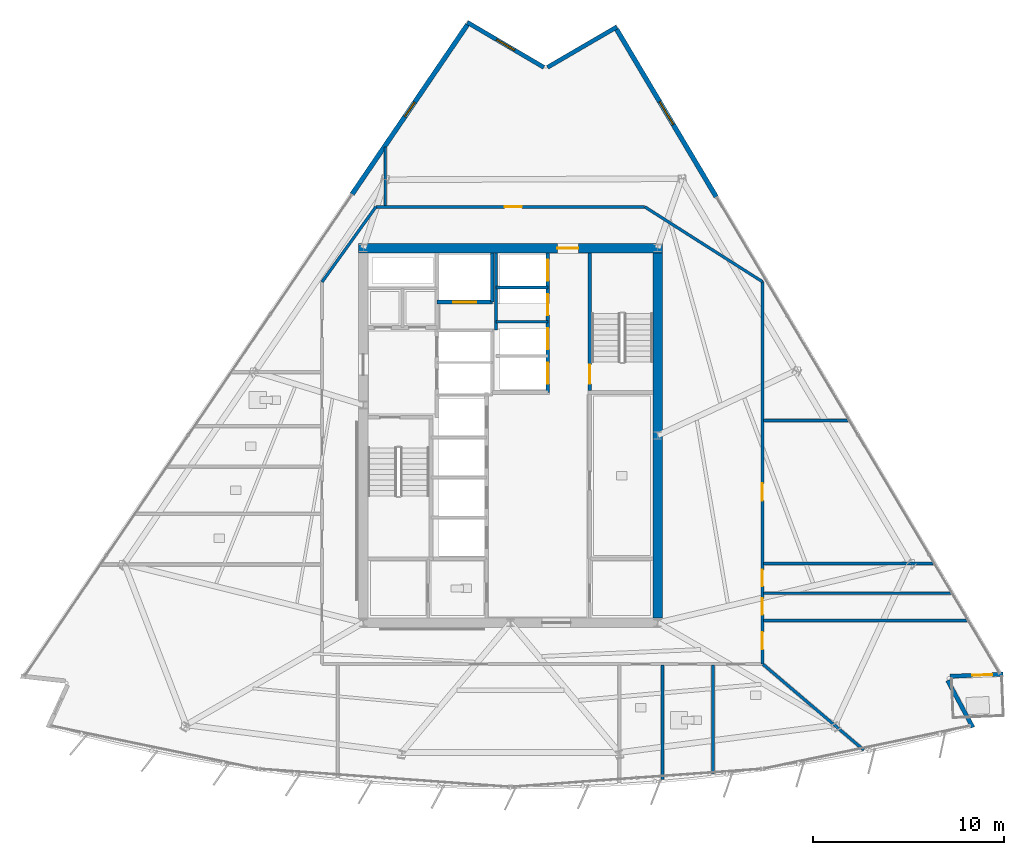
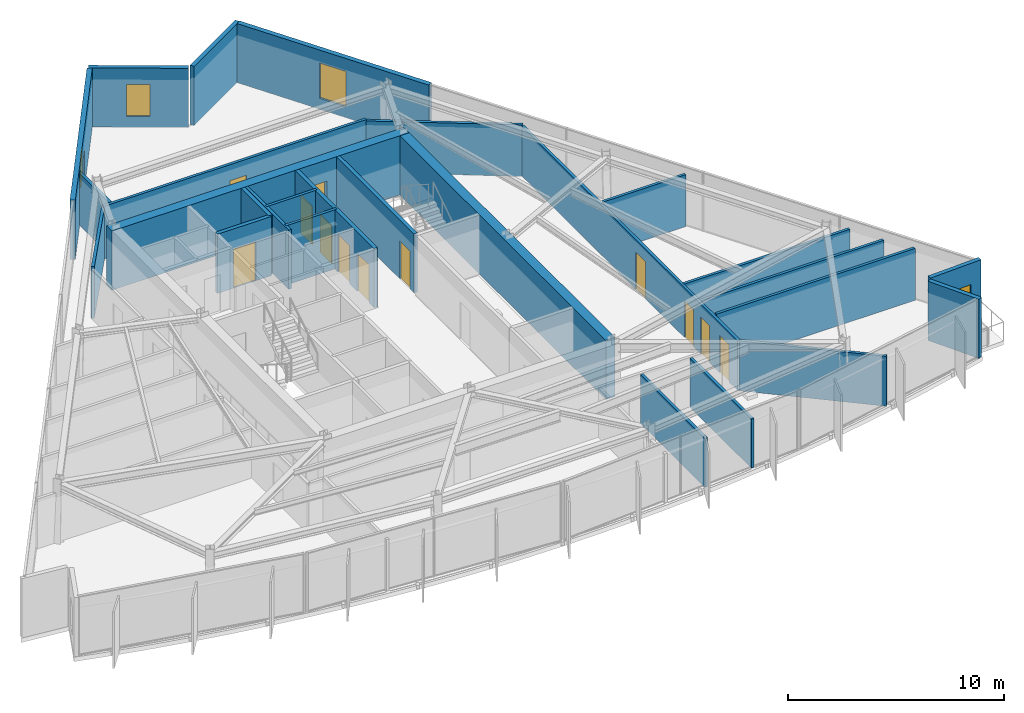
# One storey, part 9 of 15: 27 walls, 13 doors, 3 windows, 16 openings.
"""IFC4 building model written with IfcOpenShell, lengths in metres."""

from ifc_helpers import new_model, si_unit, direction, frame, frame_2d, origin, place, context, subcontext, project, spatial, rectangle, extrude, material, layer, layer_set, type_object, element, fill, save


model = new_model("IFC4")

# Units and contexts
model_context = context("Model", 3, precision=1e-05, world=origin(), true_north=direction((0.0, 1.0)))
body_context = subcontext(model_context, "Body", "Model", "MODEL_VIEW")
ifc_project = project(units=[si_unit("LENGTHUNIT", "METRE"), si_unit("AREAUNIT", "SQUARE_METRE"), si_unit("VOLUMEUNIT", "CUBIC_METRE"), si_unit("PLANEANGLEUNIT", "RADIAN"), si_unit("MASSUNIT", "GRAM", prefix="KILO")], contexts=[model_context])

# Site, building, storey
site_placement = place(None, origin())
site = spatial("IfcSite", under=ifc_project, at=site_placement, CompositionType="ELEMENT")
building_placement = place(site_placement, origin())
building = spatial("IfcBuilding", under=site, at=building_placement, Name="Savorim Split Tower", CompositionType="ELEMENT")
storey_placement = place(building_placement, frame((0.0, 0.0, 194.699951171875)))
storey = spatial("IfcBuildingStorey", under=building, at=storey_placement, Name="L51", CompositionType="ELEMENT", Elevation=194.699951171875)

# Wall, opening, door
ifc_material_1 = material(Name="Concrete C60/75", Category="concrete")
ifc_layer_1 = layer(ifc_material_1, 0.5)
ifc_layer_set_1 = layer_set([ifc_layer_1], Name="WAL-COR-SH500")
wall_type_1 = type_object("IfcWallType", Name="WAL-COR-SH500", PredefinedType="SHEAR", material=ifc_layer_set_1)
wall_1_placement = place(storey_placement, frame((7.949951171875, 10.199951171875, 0.0), z_axis=(0.0, 0.0, 1.0), x_axis=(-1.0, 0.0, 0.0)))
wall_1 = element("IfcWall", 1, at=wall_1_placement, inside=storey, type_object=wall_type_1, Name="L51 Offset Core North Shear Wall", PredefinedType="SHEAR", context=body_context, shape_type="SweptSolid", body=[
    extrude(rectangle(XDim=15.89990234375, YDim=0.5, at=frame_2d((7.949951171875, 0.0))), origin(), (0.0, 0.0, 1.0), 3.35009765625),
])
opening_1_placement = place(wall_1_placement, frame((4.39990234375, 0.0, 0.0)))
opening_1 = element("IfcOpeningElement", 2, at=opening_1_placement, cuts=wall_1, Name="Opening DI-03", PredefinedType="OPENING", context=body_context, shape_type="SweptSolid", body=[
    extrude(rectangle(XDim=1.10009765625, YDim=2.14990234375, at=frame_2d((0.550048828125, 1.074951171875))), frame((0.0, 0.260009765625, 0.0), z_axis=(0.0, -1.0, 0.0), x_axis=(1.0, 0.0, 0.0)), (0.0, 0.0, 1.0), 0.52001953125),
])
ifc_material_2 = material(Name="Timber Fire Door Leaf", Category="wood")
door_type_1 = type_object("IfcDoorType", Name="DOR-FIR-1100", OperationType="NOTDEFINED", PredefinedType="DOOR", material=ifc_material_2)
door_1_placement = place(opening_1_placement, origin())
door_1 = element("IfcDoor", 3, at=door_1_placement, inside=storey, type_object=door_type_1, Name="DOR-L51-COR-NLOB - L51 North Corridor Lobby Fire Door", OperationType="SINGLE_SWING_RIGHT", OverallHeight=2.14990234375, OverallWidth=1.10009765625, PredefinedType="DOOR", context=body_context, shape_type="SweptSolid", body=[
    extrude(rectangle(XDim=1.10009765625, YDim=2.14990234375, at=frame_2d((0.550048828125, 1.074951171875))), frame((0.0, 0.02490234375, 0.0), z_axis=(0.0, -1.0, 0.0), x_axis=(1.0, 0.0, 0.0)), (0.0, 0.0, 1.0), 0.050048828125),
])
fill(opening_1, door_1)

# Walls
wall_2_placement = place(storey_placement, frame((7.699951171875, 9.949951171875, 0.0), z_axis=(0.0, 0.0, 1.0), x_axis=(0.0, -1.0, 0.0)))
element("IfcWall", 4, at=wall_2_placement, inside=storey, type_object=wall_type_1, Name="L51 Offset Core East Shear Wall", PredefinedType="SHEAR", context=body_context, shape_type="SweptSolid", body=[
    extrude(rectangle(XDim=19.099853515625, YDim=0.5, at=frame_2d((9.5498046875, 0.0))), origin(), (0.0, 0.0, 1.0), 3.35009765625),
])
ifc_material_3 = material(Name="Precast concrete C40/50", Category="concrete")
ifc_layer_2 = layer(ifc_material_3, 0.219970703125)
ifc_layer_set_2 = layer_set([ifc_layer_2], Name="WAL-EXT-CRN220")
wall_type_2 = type_object("IfcWallType", Name="WAL-EXT-CRN220", PredefinedType="SOLIDWALL", material=ifc_layer_set_2)
wall_3_placement = place(storey_placement, frame((22.86767578125, -12.414794921875, 0.0), z_axis=(0.0, 0.0, 1.0), x_axis=(0.472845900162, -0.881145138272, 0.0)))
element("IfcWall", 5, at=wall_3_placement, inside=storey, type_object=wall_type_2, Name="L51 Notched Corner Facade Wall SE1", PredefinedType="SOLIDWALL", context=body_context, shape_type="SweptSolid", body=[
    extrude(rectangle(XDim=2.78759765625, YDim=0.219970703125, at=frame_2d((1.393798828125, 0.0))), origin(), (0.0, 0.0, 1.0), 3.35009765625),
])

# Wall, opening, door
wall_4_placement = place(storey_placement, frame((25.77197265625, -12.082763671875, 0.0), z_axis=(0.0, 0.0, 1.0), x_axis=(-0.999095761456, -0.042516578425, 0.0)))
wall_4 = element("IfcWall", 6, at=wall_4_placement, inside=storey, type_object=wall_type_2, Name="L51 Notched Corner Facade Wall SE", PredefinedType="SOLIDWALL", context=body_context, shape_type="SweptSolid", body=[
    extrude(rectangle(XDim=2.784912109375, YDim=0.219970703125, at=frame_2d((1.392578125, 0.0))), origin(), (0.0, 0.0, 1.0), 3.35009765625),
])
opening_2_placement = place(wall_4_placement, frame((0.5673828125, 0.0, 0.0)))
opening_2 = element("IfcOpeningElement", 7, at=opening_2_placement, cuts=wall_4, Name="Opening DB-01", PredefinedType="OPENING", context=body_context, shape_type="SweptSolid", body=[
    extrude(rectangle(XDim=1.050048828125, YDim=2.14990234375, at=frame_2d((0.52490234375, 1.074951171875))), frame((0.0, 0.119873046875, 0.0), z_axis=(0.0, -1.0, 0.0), x_axis=(1.0, 0.0, 0.0)), (0.0, 0.0, 1.0), 0.239990234375),
])
ifc_material_4 = material(Name="Charcoal Anodised Aluminium", Category="aluminium")
door_type_2 = type_object("IfcDoorType", Name="DOR-BAL-1050", OperationType="NOTDEFINED", PredefinedType="DOOR", material=ifc_material_4)
door_2_placement = place(opening_2_placement, origin())
door_2 = element("IfcDoor", 8, at=door_2_placement, inside=storey, type_object=door_type_2, Name="DOR-L51-TBAL-SE - L51 Planted Tree Balcony Door SE", OperationType="SINGLE_SWING_RIGHT", OverallHeight=2.14990234375, OverallWidth=1.050048828125, PredefinedType="DOOR", context=body_context, shape_type="SweptSolid", body=[
    extrude(rectangle(XDim=1.050048828125, YDim=2.14990234375, at=frame_2d((0.52490234375, 1.074951171875))), frame((0.0, 0.02490234375, 0.0), z_axis=(0.0, -1.0, 0.0), x_axis=(1.0, 0.0, 0.0)), (0.0, 0.0, 1.0), 0.050048828125),
])
fill(opening_2, door_2)

# Wall
wall_5_placement = place(storey_placement, frame((1.935302734375, 19.656494140625, 0.0), z_axis=(0.0, 0.0, 1.0), x_axis=(0.863987356641, 0.503513502862, 0.0)))
element("IfcWall", 9, at=wall_5_placement, inside=storey, type_object=wall_type_2, Name="L51 Notched Corner Facade Wall NE1", PredefinedType="SOLIDWALL", context=body_context, shape_type="SweptSolid", body=[
    extrude(rectangle(XDim=4.203857421875, YDim=0.219970703125, at=frame_2d((2.10205078125, 0.0))), origin(), (0.0, 0.0, 1.0), 3.35009765625),
])

# Wall, opening, window
wall_6_placement = place(storey_placement, frame((-2.25927734375, 22.01025390625, 0.0), z_axis=(0.0, 0.0, 1.0), x_axis=(0.862123324624, -0.506698503193, 0.0)))
wall_6 = element("IfcWall", 10, at=wall_6_placement, inside=storey, type_object=wall_type_2, Name="L51 Notched Corner Facade Wall N", PredefinedType="SOLIDWALL", context=body_context, shape_type="SweptSolid", body=[
    extrude(rectangle(XDim=4.644775390625, YDim=0.219970703125, at=frame_2d((2.322265625, 0.0))), origin(), (0.0, 0.0, 1.0), 3.35009765625),
])
opening_3_placement = place(wall_6_placement, frame((1.7724609375, 0.0, 0.6201171875)))
opening_3 = element("IfcOpeningElement", 11, at=opening_3_placement, cuts=wall_6, Name="Opening WN-09", PredefinedType="OPENING", context=body_context, shape_type="SweptSolid", body=[
    extrude(rectangle(XDim=1.10009765625, YDim=1.800048828125, at=frame_2d((0.550048828125, 0.89990234375))), frame((0.0, 0.119873046875, 0.0), z_axis=(0.0, -1.0, 0.0), x_axis=(1.0, 0.0, 0.0)), (0.0, 0.0, 1.0), 0.239990234375),
])
ifc_material_5 = material(Name="Low-E Operable Double Glazing", Category="glass")
window_type_1 = type_object("IfcWindowType", Name="WIN-TWR-1100x1800", PartitioningType="SINGLE_PANEL", PredefinedType="WINDOW", material=ifc_material_5)
window_1_placement = place(opening_3_placement, origin())
window_1 = element("IfcWindow", 12, at=window_1_placement, inside=storey, type_object=window_type_1, Name="L51 Operable Corner Window N", OverallHeight=1.800048828125, OverallWidth=1.10009765625, PartitioningType="SINGLE_PANEL", PredefinedType="WINDOW", context=body_context, shape_type="SweptSolid", body=[
    extrude(rectangle(XDim=1.10009765625, YDim=1.800048828125, at=frame_2d((0.550048828125, 0.89990234375))), frame((0.0, 0.030029296875, 0.0), z_axis=(0.0, -1.0, 0.0), x_axis=(1.0, 0.0, 0.0)), (0.0, 0.0, 1.0), 0.06005859375),
])
fill(opening_3, window_1)

ifc_layer_3 = layer(ifc_material_3, 0.25)
ifc_layer_set_3 = layer_set([ifc_layer_3], Name="WAL-EXT-SPN250")
wall_type_3 = type_object("IfcWallType", Name="WAL-EXT-SPN250", PredefinedType="SOLIDWALL", material=ifc_layer_set_3)
wall_7_placement = place(storey_placement, frame((5.55078125, 21.646728515625, 0.0), z_axis=(0.0, 0.0, 1.0), x_axis=(0.511094988088, -0.859524236512, 0.0)))
wall_7 = element("IfcWall", 13, at=wall_7_placement, inside=storey, type_object=wall_type_3, Name="L51 East Operable Window Pier", PredefinedType="SOLIDWALL", context=body_context, shape_type="SweptSolid", body=[
    extrude(rectangle(XDim=10.199951171875, YDim=0.25, at=frame_2d((5.10009765625, 0.0))), origin(), (0.0, 0.0, 1.0), 3.35009765625),
])
opening_4_placement = place(wall_7_placement, frame((4.39990234375, 0.0, 0.6201171875)))
opening_4 = element("IfcOpeningElement", 14, at=opening_4_placement, cuts=wall_7, Name="Opening WN-07", PredefinedType="OPENING", context=body_context, shape_type="SweptSolid", body=[
    extrude(rectangle(XDim=1.39990234375, YDim=2.0, at=frame_2d((0.699951171875, 1.0))), frame((0.0, 0.135009765625, 0.0), z_axis=(0.0, -1.0, 0.0), x_axis=(1.0, 0.0, 0.0)), (0.0, 0.0, 1.0), 0.27001953125),
])
window_type_2 = type_object("IfcWindowType", Name="WIN-TWR-1400x2000", PartitioningType="SINGLE_PANEL", PredefinedType="WINDOW", material=ifc_material_5)
window_2_placement = place(opening_4_placement, origin())
window_2 = element("IfcWindow", 15, at=window_2_placement, inside=storey, type_object=window_type_2, Name="L51 East Operable Ventilation Window", OverallHeight=2.0, OverallWidth=1.39990234375, PartitioningType="SINGLE_PANEL", PredefinedType="WINDOW", context=body_context, shape_type="SweptSolid", body=[
    extrude(rectangle(XDim=1.39990234375, YDim=2.0, at=frame_2d((0.699951171875, 1.0))), frame((0.0, 0.030029296875, 0.0), z_axis=(0.0, -1.0, 0.0), x_axis=(1.0, 0.0, 0.0)), (0.0, 0.0, 1.0), 0.06005859375),
])
fill(opening_4, window_2)

wall_8_placement = place(storey_placement, frame((-8.28369140625, 13.02587890625, 0.0), z_axis=(0.0, 0.0, 1.0), x_axis=(0.562468945091, 0.826818411629, 0.0)))
wall_8 = element("IfcWall", 16, at=wall_8_placement, inside=storey, type_object=wall_type_3, Name="L51 West Operable Window Pier", PredefinedType="SOLIDWALL", context=body_context, shape_type="SweptSolid", body=[
    extrude(rectangle(XDim=10.714111328125, YDim=0.25, at=frame_2d((5.35693359375, 0.0))), origin(), (0.0, 0.0, 1.0), 3.35009765625),
])
opening_5_placement = place(wall_8_placement, frame((4.906982421875, 0.0, 0.6201171875)))
opening_5 = element("IfcOpeningElement", 17, at=opening_5_placement, cuts=wall_8, Name="Opening WN-10", PredefinedType="OPENING", context=body_context, shape_type="SweptSolid", body=[
    extrude(rectangle(XDim=0.89990234375, YDim=1.60009765625, at=frame_2d((0.449951171875, 0.800048828125))), frame((0.0, 0.135009765625, 0.0), z_axis=(0.0, -1.0, 0.0), x_axis=(1.0, 0.0, 0.0)), (0.0, 0.0, 1.0), 0.27001953125),
])
window_type_3 = type_object("IfcWindowType", Name="WIN-TWR-900x1600", PartitioningType="SINGLE_PANEL", PredefinedType="WINDOW", material=ifc_material_5)
window_3_placement = place(opening_5_placement, origin())
window_3 = element("IfcWindow", 18, at=window_3_placement, inside=storey, type_object=window_type_3, Name="L51 West Operable Ventilation Window", OverallHeight=1.60009765625, OverallWidth=0.89990234375, PartitioningType="SINGLE_PANEL", PredefinedType="WINDOW", context=body_context, shape_type="SweptSolid", body=[
    extrude(rectangle(XDim=0.89990234375, YDim=1.60009765625, at=frame_2d((0.449951171875, 0.800048828125))), frame((0.0, 0.030029296875, 0.0), z_axis=(0.0, -1.0, 0.0), x_axis=(1.0, 0.0, 0.0)), (0.0, 0.0, 1.0), 0.06005859375),
])
fill(opening_5, window_3)

# Wall, opening, door
ifc_material_6 = material(Name="Concrete C50/60", Category="concrete")
ifc_layer_4 = layer(ifc_material_6, 0.199951171875)
ifc_layer_set_4 = layer_set([ifc_layer_4], Name="WAL-INT-RC200")
wall_type_4 = type_object("IfcWallType", Name="WAL-INT-RC200", PredefinedType="SOLIDWALL", material=ifc_layer_set_4)
wall_9_placement = place(storey_placement, frame((4.14990234375, 2.75, 0.0), z_axis=(0.0, 0.0, 1.0), x_axis=(0.0, 1.0, 0.0)))
wall_9 = element("IfcWall", 19, at=wall_9_placement, inside=storey, type_object=wall_type_4, Name="L51 Structural Shaft Wall W-L51-CR07", PredefinedType="SOLIDWALL", context=body_context, shape_type="SweptSolid", body=[
    extrude(rectangle(XDim=7.199951171875, YDim=0.199951171875, at=frame_2d((3.60009765625, 0.0))), origin(), (0.0, 0.0, 1.0), 3.35009765625),
])
opening_6_placement = place(wall_9_placement, frame((0.35009765625, 0.0, 0.0)))
opening_6 = element("IfcOpeningElement", 20, at=opening_6_placement, cuts=wall_9, Name="Opening DI-04", PredefinedType="OPENING", context=body_context, shape_type="SweptSolid", body=[
    extrude(rectangle(XDim=1.0, YDim=2.14990234375, at=frame_2d((0.5, 1.074951171875))), frame((0.0, 0.10986328125, 0.0), z_axis=(0.0, -1.0, 0.0), x_axis=(1.0, 0.0, 0.0)), (0.0, 0.0, 1.0), 0.219970703125),
])
door_type_3 = type_object("IfcDoorType", Name="DOR-FIR-1000", OperationType="NOTDEFINED", PredefinedType="DOOR", material=ifc_material_2)
door_3_placement = place(opening_6_placement, origin())
door_3 = element("IfcDoor", 21, at=door_3_placement, inside=storey, type_object=door_type_3, Name="DR-L51-ST2 - L51 Stair ST-2 Enclosure Door", OperationType="SINGLE_SWING_RIGHT", OverallHeight=2.14990234375, OverallWidth=1.0, PredefinedType="DOOR", context=body_context, shape_type="SweptSolid", body=[
    extrude(rectangle(XDim=1.0, YDim=2.14990234375, at=frame_2d((0.5, 1.074951171875))), frame((0.0, 0.02490234375, 0.0), z_axis=(0.0, -1.0, 0.0), x_axis=(1.0, 0.0, 0.0)), (0.0, 0.0, 1.0), 0.050048828125),
])
fill(opening_6, door_3)

wall_10_placement = place(storey_placement, frame((-3.85009765625, 7.3798828125, 0.0), z_axis=(0.0, 0.0, 1.0), x_axis=(1.0, 0.0, 0.0)))
wall_10 = element("IfcWall", 22, at=wall_10_placement, inside=storey, type_object=wall_type_4, Name="L51 Partition W-L51-SVLS", PredefinedType="SOLIDWALL", context=body_context, shape_type="SweptSolid", body=[
    extrude(rectangle(XDim=2.900146484375, YDim=0.199951171875, at=frame_2d((1.4501953125, 0.0))), origin(), (0.0, 0.0, 1.0), 3.35009765625),
])
opening_7_placement = place(wall_10_placement, frame((0.85009765625, 0.0, 0.0)))
opening_7 = element("IfcOpeningElement", 23, at=opening_7_placement, cuts=wall_10, Name="Opening LD-SV", PredefinedType="OPENING", context=body_context, shape_type="SweptSolid", body=[
    extrude(rectangle(XDim=1.199951171875, YDim=2.199951171875, at=frame_2d((0.60009765625, 1.10009765625))), frame((0.0, 0.10986328125, 0.0), z_axis=(0.0, -1.0, 0.0), x_axis=(1.0, 0.0, 0.0)), (0.0, 0.0, 1.0), 0.219970703125),
])
door_type_4 = type_object("IfcDoorType", Name="DOR-SLD-SV1200", OperationType="NOTDEFINED", PredefinedType="DOOR", material=ifc_material_4)
door_4_placement = place(opening_7_placement, origin())
door_4 = element("IfcDoor", 24, at=door_4_placement, inside=storey, type_object=door_type_4, Name="DR-L51-LD-SVL1 - L51 Service Lift SVL-1 Sliding Landing Door", OperationType="DOUBLE_DOOR_SLIDING", OverallHeight=2.199951171875, OverallWidth=1.199951171875, PredefinedType="DOOR", context=body_context, shape_type="SweptSolid", body=[
    extrude(rectangle(XDim=1.199951171875, YDim=2.199951171875, at=frame_2d((0.60009765625, 1.10009765625))), frame((0.0, 0.02490234375, 0.0), z_axis=(0.0, -1.0, 0.0), x_axis=(1.0, 0.0, 0.0)), (0.0, 0.0, 1.0), 0.050048828125),
])
fill(opening_7, door_4)

# Wall
wall_11_placement = place(storey_placement, frame((-0.949951171875, 7.3798828125, 0.0), z_axis=(0.0, 0.0, 1.0), x_axis=(0.0, 1.0, 0.0)))
element("IfcWall", 25, at=wall_11_placement, inside=storey, type_object=wall_type_4, Name="L51 Partition W-L51-SVLE", PredefinedType="SOLIDWALL", context=body_context, shape_type="SweptSolid", body=[
    extrude(rectangle(XDim=2.565185546875, YDim=0.199951171875, at=frame_2d((1.28271484375, 0.0))), origin(), (0.0, 0.0, 1.0), 3.35009765625),
])

# Wall, openings, doors
wall_12_placement = place(storey_placement, frame((1.949951171875, 2.64990234375, 0.0), z_axis=(0.0, 0.0, 1.0), x_axis=(0.0, 1.0, 0.0)))
wall_12 = element("IfcWall", 26, at=wall_12_placement, inside=storey, type_object=wall_type_4, Name="L51 Partition W-L51-B3FRONT", PredefinedType="SOLIDWALL", context=body_context, shape_type="SweptSolid", body=[
    extrude(rectangle(XDim=7.295166015625, YDim=0.199951171875, at=frame_2d((3.6474609375, 0.0))), origin(), (0.0, 0.0, 1.0), 3.35009765625),
])
opening_8_placement = place(wall_12_placement, frame((0.449951171875, 0.0, 0.0)))
opening_8 = element("IfcOpeningElement", 27, at=opening_8_placement, cuts=wall_12, Name="Opening LD-03", PredefinedType="OPENING", context=body_context, shape_type="SweptSolid", body=[
    extrude(rectangle(XDim=1.10009765625, YDim=2.14990234375, at=frame_2d((0.550048828125, 1.074951171875))), frame((0.0, 0.10986328125, 0.0), z_axis=(0.0, -1.0, 0.0), x_axis=(1.0, 0.0, 0.0)), (0.0, 0.0, 1.0), 0.219970703125),
])
opening_9_placement = place(wall_12_placement, frame((2.25, 0.0, 0.0)))
opening_9 = element("IfcOpeningElement", 28, at=opening_9_placement, cuts=wall_12, Name="Opening LD-03", PredefinedType="OPENING", context=body_context, shape_type="SweptSolid", body=[
    extrude(rectangle(XDim=1.10009765625, YDim=2.14990234375, at=frame_2d((0.550048828125, 1.074951171875))), frame((0.0, 0.10986328125, 0.0), z_axis=(0.0, -1.0, 0.0), x_axis=(1.0, 0.0, 0.0)), (0.0, 0.0, 1.0), 0.219970703125),
])
opening_10_placement = place(wall_12_placement, frame((4.050048828125, 0.0, 0.0)))
opening_10 = element("IfcOpeningElement", 29, at=opening_10_placement, cuts=wall_12, Name="Opening LD-03", PredefinedType="OPENING", context=body_context, shape_type="SweptSolid", body=[
    extrude(rectangle(XDim=1.10009765625, YDim=2.14990234375, at=frame_2d((0.550048828125, 1.074951171875))), frame((0.0, 0.10986328125, 0.0), z_axis=(0.0, -1.0, 0.0), x_axis=(1.0, 0.0, 0.0)), (0.0, 0.0, 1.0), 0.219970703125),
])
opening_11_placement = place(wall_12_placement, frame((5.85009765625, 0.0, 0.0)))
opening_11 = element("IfcOpeningElement", 30, at=opening_11_placement, cuts=wall_12, Name="Opening LD-03", PredefinedType="OPENING", context=body_context, shape_type="SweptSolid", body=[
    extrude(rectangle(XDim=1.10009765625, YDim=2.14990234375, at=frame_2d((0.550048828125, 1.074951171875))), frame((0.0, 0.10986328125, 0.0), z_axis=(0.0, -1.0, 0.0), x_axis=(1.0, 0.0, 0.0)), (0.0, 0.0, 1.0), 0.219970703125),
])
door_type_5 = type_object("IfcDoorType", Name="DOR-SLD-LDH1100", OperationType="NOTDEFINED", PredefinedType="DOOR", material=ifc_material_4)
door_5_placement = place(opening_8_placement, origin())
door_5 = element("IfcDoor", 31, at=door_5_placement, inside=storey, type_object=door_type_5, Name="DR-L51-LD-PLH1 - L51 Lift PL-H1 Sliding Landing Door", OperationType="DOUBLE_DOOR_SLIDING", OverallHeight=2.14990234375, OverallWidth=1.10009765625, PredefinedType="DOOR", context=body_context, shape_type="SweptSolid", body=[
    extrude(rectangle(XDim=1.10009765625, YDim=2.14990234375, at=frame_2d((0.550048828125, 1.074951171875))), frame((0.0, 0.02490234375, 0.0), z_axis=(0.0, -1.0, 0.0), x_axis=(1.0, 0.0, 0.0)), (0.0, 0.0, 1.0), 0.050048828125),
])
fill(opening_8, door_5)
door_6_placement = place(opening_9_placement, origin())
door_6 = element("IfcDoor", 32, at=door_6_placement, inside=storey, type_object=door_type_5, Name="DR-L51-LD-PLH2 - L51 Lift PL-H2 Sliding Landing Door", OperationType="DOUBLE_DOOR_SLIDING", OverallHeight=2.14990234375, OverallWidth=1.10009765625, PredefinedType="DOOR", context=body_context, shape_type="SweptSolid", body=[
    extrude(rectangle(XDim=1.10009765625, YDim=2.14990234375, at=frame_2d((0.550048828125, 1.074951171875))), frame((0.0, 0.02490234375, 0.0), z_axis=(0.0, -1.0, 0.0), x_axis=(1.0, 0.0, 0.0)), (0.0, 0.0, 1.0), 0.050048828125),
])
fill(opening_9, door_6)
door_7_placement = place(opening_10_placement, origin())
door_7 = element("IfcDoor", 33, at=door_7_placement, inside=storey, type_object=door_type_5, Name="DR-L51-LD-PLH3 - L51 Lift PL-H3 Sliding Landing Door", OperationType="DOUBLE_DOOR_SLIDING", OverallHeight=2.14990234375, OverallWidth=1.10009765625, PredefinedType="DOOR", context=body_context, shape_type="SweptSolid", body=[
    extrude(rectangle(XDim=1.10009765625, YDim=2.14990234375, at=frame_2d((0.550048828125, 1.074951171875))), frame((0.0, 0.02490234375, 0.0), z_axis=(0.0, -1.0, 0.0), x_axis=(1.0, 0.0, 0.0)), (0.0, 0.0, 1.0), 0.050048828125),
])
fill(opening_10, door_7)
door_8_placement = place(opening_11_placement, origin())
door_8 = element("IfcDoor", 34, at=door_8_placement, inside=storey, type_object=door_type_5, Name="DR-L51-LD-PLH4 - L51 Lift PL-H4 Sliding Landing Door", OperationType="DOUBLE_DOOR_SLIDING", OverallHeight=2.14990234375, OverallWidth=1.10009765625, PredefinedType="DOOR", context=body_context, shape_type="SweptSolid", body=[
    extrude(rectangle(XDim=1.10009765625, YDim=2.14990234375, at=frame_2d((0.550048828125, 1.074951171875))), frame((0.0, 0.02490234375, 0.0), z_axis=(0.0, -1.0, 0.0), x_axis=(1.0, 0.0, 0.0)), (0.0, 0.0, 1.0), 0.050048828125),
])
fill(opening_11, door_8)

# Walls
ifc_material_7 = material(Name="Acoustic Gypsum Partition Board")
ifc_layer_5 = layer(ifc_material_7, 0.14990234375)
ifc_layer_set_5 = layer_set([ifc_layer_5], Name="WAL-PAR-150")
wall_type_5 = type_object("IfcWallType", Name="WAL-PAR-150", PredefinedType="PARTITIONING", material=ifc_layer_set_5)
wall_13_placement = place(storey_placement, frame((-0.75, 5.919921875, 0.0), z_axis=(0.0, 0.0, 1.0), x_axis=(0.0, 1.0, 0.0)))
element("IfcWall", 35, at=wall_13_placement, inside=storey, type_object=wall_type_5, Name="L51 Partition W-L51-B3WEST", PredefinedType="PARTITIONING", context=body_context, shape_type="SweptSolid", body=[
    extrude(rectangle(XDim=4.025146484375, YDim=0.14990234375, at=frame_2d((2.0126953125, 0.0))), origin(), (0.0, 0.0, 1.0), 3.35009765625),
])
for number, where, z_axis, x_axis, name in (
    (36, (-0.75, 6.35009765625, 0.0), (0.0, 0.0, 1.0), (1.0, 0.0, 0.0), "L51 Partition W-L51-B3DIV2"),
    (37, (-0.75, 8.14990234375, 0.0), (0.0, 0.0, 1.0), (1.0, 0.0, 0.0), "L51 Partition W-L51-B3DIV3"),
):
    element("IfcWall", number, at=place(storey_placement, frame(where, z_axis=z_axis, x_axis=x_axis)), inside=storey, type_object=wall_type_5, Name=name, PredefinedType="PARTITIONING", context=body_context, shape_type="SweptSolid", body=[
        extrude(rectangle(XDim=2.699951171875, YDim=0.14990234375, at=frame_2d((1.35009765625, 0.0))), origin(), (0.0, 0.0, 1.0), 3.35009765625),
    ])
wall_14_placement = place(storey_placement, frame((-9.860107421875, 8.42578125, 0.0), z_axis=(0.0, 0.0, 1.0), x_axis=(0.582449511476, 0.812866881218, 0.0)))
element("IfcWall", 38, at=wall_14_placement, inside=storey, type_object=wall_type_5, Name="L51 Partition W-L51-COR-02", PredefinedType="PARTITIONING", context=body_context, shape_type="SweptSolid", body=[
    extrude(rectangle(XDim=4.840087890625, YDim=0.14990234375, at=frame_2d((2.419921875, 0.0))), origin(), (0.0, 0.0, 1.0), 2.93505859375),
])

# Wall, opening, door
wall_15_placement = place(storey_placement, frame((-7.041015625, 12.360107421875, 0.0), z_axis=(0.0, 0.0, 1.0), x_axis=(1.0, 0.0, 0.0)))
wall_15 = element("IfcWall", 39, at=wall_15_placement, inside=storey, type_object=wall_type_5, Name="L51 Partition W-L51-COR-03", PredefinedType="PARTITIONING", context=body_context, shape_type="SweptSolid", body=[
    extrude(rectangle(XDim=14.064208984375, YDim=0.14990234375, at=frame_2d((7.0322265625, 0.0))), origin(), (0.0, 0.0, 1.0), 3.005126953125),
])
opening_12_placement = place(wall_15_placement, frame((6.73828125, 0.0, 0.0)))
opening_12 = element("IfcOpeningElement", 40, at=opening_12_placement, cuts=wall_15, Name="Opening DI-06", PredefinedType="OPENING", context=body_context, shape_type="SweptSolid", body=[
    extrude(rectangle(XDim=0.89990234375, YDim=2.10009765625, at=frame_2d((0.449951171875, 1.050048828125))), frame((0.0, 0.0849609375, 0.0), z_axis=(0.0, -1.0, 0.0), x_axis=(1.0, 0.0, 0.0)), (0.0, 0.0, 1.0), 0.169921875),
])
door_type_6 = type_object("IfcDoorType", Name="DOR-FIR-900", OperationType="NOTDEFINED", PredefinedType="DOOR", material=ifc_material_2)
door_9_placement = place(opening_12_placement, origin())
door_9 = element("IfcDoor", 41, at=door_9_placement, inside=storey, type_object=door_type_6, Name="DR-L51-RM13 - L51 Co-Working Commons Entry Door", OperationType="SINGLE_SWING_RIGHT", OverallHeight=2.10009765625, OverallWidth=0.89990234375, PredefinedType="DOOR", context=body_context, shape_type="SweptSolid", body=[
    extrude(rectangle(XDim=0.89990234375, YDim=2.10009765625, at=frame_2d((0.449951171875, 1.050048828125))), frame((0.0, 0.02490234375, 0.0), z_axis=(0.0, -1.0, 0.0), x_axis=(1.0, 0.0, 0.0)), (0.0, 0.0, 1.0), 0.050048828125),
])
fill(opening_12, door_9)

# Wall
wall_16_placement = place(storey_placement, frame((7.023193359375, 12.360107421875, 0.0), z_axis=(0.0, 0.0, 1.0), x_axis=(0.84376480085, -0.536713108511, 0.0)))
element("IfcWall", 42, at=wall_16_placement, inside=storey, type_object=wall_type_5, Name="L51 Partition W-L51-COR-04", PredefinedType="PARTITIONING", context=body_context, shape_type="SweptSolid", body=[
    extrude(rectangle(XDim=7.296630859375, YDim=0.14990234375, at=frame_2d((3.6484375, 0.0))), origin(), (0.0, 0.0, 1.0), 2.925048828125),
])

# Wall, openings, doors
wall_17_placement = place(storey_placement, frame((13.179931640625, 8.44384765625, 0.0), z_axis=(0.0, 0.0, 1.0), x_axis=(0.0, -1.0, 0.0)))
wall_17 = element("IfcWall", 43, at=wall_17_placement, inside=storey, type_object=wall_type_5, Name="L51 Partition W-L51-COR-05", PredefinedType="PARTITIONING", context=body_context, shape_type="SweptSolid", body=[
    extrude(rectangle(XDim=20.00390625, YDim=0.14990234375, at=frame_2d((10.001953125, 0.0))), origin(), (0.0, 0.0, 1.0), 2.824951171875),
])
opening_13_placement = place(wall_17_placement, frame((18.32861328125, 0.0, 0.0)))
opening_13 = element("IfcOpeningElement", 44, at=opening_13_placement, cuts=wall_17, Name="Opening DI-06", PredefinedType="OPENING", context=body_context, shape_type="SweptSolid", body=[
    extrude(rectangle(XDim=0.89990234375, YDim=2.10009765625, at=frame_2d((0.449951171875, 1.050048828125))), frame((0.0, 0.0849609375, 0.0), z_axis=(0.0, -1.0, 0.0), x_axis=(1.0, 0.0, 0.0)), (0.0, 0.0, 1.0), 0.169921875),
])
opening_14_placement = place(wall_17_placement, frame((16.56591796875, 0.0, 0.0)))
opening_14 = element("IfcOpeningElement", 45, at=opening_14_placement, cuts=wall_17, Name="Opening DI-13", PredefinedType="OPENING", context=body_context, shape_type="SweptSolid", body=[
    extrude(rectangle(XDim=0.85009765625, YDim=2.10009765625, at=frame_2d((0.425048828125, 1.050048828125))), frame((0.0, 0.0849609375, 0.0), z_axis=(0.0, -1.0, 0.0), x_axis=(1.0, 0.0, 0.0)), (0.0, 0.0, 1.0), 0.169921875),
])
opening_15_placement = place(wall_17_placement, frame((15.07373046875, 0.0, 0.0)))
opening_15 = element("IfcOpeningElement", 46, at=opening_15_placement, cuts=wall_17, Name="Opening DI-13", PredefinedType="OPENING", context=body_context, shape_type="SweptSolid", body=[
    extrude(rectangle(XDim=0.85009765625, YDim=2.10009765625, at=frame_2d((0.425048828125, 1.050048828125))), frame((0.0, 0.0849609375, 0.0), z_axis=(0.0, -1.0, 0.0), x_axis=(1.0, 0.0, 0.0)), (0.0, 0.0, 1.0), 0.169921875),
])
opening_16_placement = place(wall_17_placement, frame((10.5537109375, 0.0, 0.0)))
opening_16 = element("IfcOpeningElement", 47, at=opening_16_placement, cuts=wall_17, Name="Opening DI-06", PredefinedType="OPENING", context=body_context, shape_type="SweptSolid", body=[
    extrude(rectangle(XDim=0.89990234375, YDim=2.10009765625, at=frame_2d((0.449951171875, 1.050048828125))), frame((0.0, 0.0849609375, 0.0), z_axis=(0.0, -1.0, 0.0), x_axis=(1.0, 0.0, 0.0)), (0.0, 0.0, 1.0), 0.169921875),
])
door_type_7 = type_object("IfcDoorType", Name="DOR-FIR-850", OperationType="NOTDEFINED", PredefinedType="DOOR", material=ifc_material_2)
door_10_placement = place(opening_14_placement, origin())
door_10 = element("IfcDoor", 48, at=door_10_placement, inside=storey, type_object=door_type_7, Name="DR-L51-RM10 - L51 Co-Living Bedroom Entry Door", OperationType="SINGLE_SWING_LEFT", OverallHeight=2.10009765625, OverallWidth=0.85009765625, PredefinedType="DOOR", context=body_context, shape_type="SweptSolid", body=[
    extrude(rectangle(XDim=0.85009765625, YDim=2.10009765625, at=frame_2d((0.425048828125, 1.050048828125))), frame((0.0, 0.02490234375, 0.0), z_axis=(0.0, -1.0, 0.0), x_axis=(1.0, 0.0, 0.0)), (0.0, 0.0, 1.0), 0.050048828125),
])
fill(opening_14, door_10)
door_11_placement = place(opening_15_placement, origin())
door_11 = element("IfcDoor", 49, at=door_11_placement, inside=storey, type_object=door_type_7, Name="DR-L51-RM11 - L51 Quiet Study Room Entry Door", OperationType="SINGLE_SWING_RIGHT", OverallHeight=2.10009765625, OverallWidth=0.85009765625, PredefinedType="DOOR", context=body_context, shape_type="SweptSolid", body=[
    extrude(rectangle(XDim=0.85009765625, YDim=2.10009765625, at=frame_2d((0.425048828125, 1.050048828125))), frame((0.0, 0.02490234375, 0.0), z_axis=(0.0, -1.0, 0.0), x_axis=(1.0, 0.0, 0.0)), (0.0, 0.0, 1.0), 0.050048828125),
])
fill(opening_15, door_11)
door_12_placement = place(opening_13_placement, origin())
door_12 = element("IfcDoor", 50, at=door_12_placement, inside=storey, type_object=door_type_6, Name="DR-L51-RM09 - L51 Co-Working Commons Entry Door", OperationType="SINGLE_SWING_RIGHT", OverallHeight=2.10009765625, OverallWidth=0.89990234375, PredefinedType="DOOR", context=body_context, shape_type="SweptSolid", body=[
    extrude(rectangle(XDim=0.89990234375, YDim=2.10009765625, at=frame_2d((0.449951171875, 1.050048828125))), frame((0.0, 0.02490234375, 0.0), z_axis=(0.0, -1.0, 0.0), x_axis=(1.0, 0.0, 0.0)), (0.0, 0.0, 1.0), 0.050048828125),
])
fill(opening_13, door_12)
door_13_placement = place(opening_16_placement, origin())
door_13 = element("IfcDoor", 51, at=door_13_placement, inside=storey, type_object=door_type_6, Name="DR-L51-RM12 - L51 Maker Workshop Entry Door", OperationType="SINGLE_SWING_LEFT", OverallHeight=2.10009765625, OverallWidth=0.89990234375, PredefinedType="DOOR", context=body_context, shape_type="SweptSolid", body=[
    extrude(rectangle(XDim=0.89990234375, YDim=2.10009765625, at=frame_2d((0.449951171875, 1.050048828125))), frame((0.0, 0.02490234375, 0.0), z_axis=(0.0, -1.0, 0.0), x_axis=(1.0, 0.0, 0.0)), (0.0, 0.0, 1.0), 0.050048828125),
])
fill(opening_16, door_13)

# Walls
wall_18_placement = place(storey_placement, frame((13.2080078125, -11.568603515625, 0.0), z_axis=(0.0, 0.0, 1.0), x_axis=(0.761564546723, -0.648089068859, 0.0)))
element("IfcWall", 52, at=wall_18_placement, inside=storey, type_object=wall_type_5, Name="L51 Partition W-L51-PRAD04", PredefinedType="PARTITIONING", context=body_context, shape_type="SweptSolid", body=[
    extrude(rectangle(XDim=6.929931640625, YDim=0.14990234375, at=frame_2d((3.46484375, 0.0))), origin(), (0.0, 0.0, 1.0), 2.824951171875),
])
wall_19_placement = place(storey_placement, frame((13.239990234375, -6.30322265625, 0.0), z_axis=(0.0, 0.0, 1.0), x_axis=(1.0, 0.0, 0.0)))
element("IfcWall", 53, at=wall_19_placement, inside=storey, type_object=wall_type_5, Name="L51 Partition W-L51-PRAD05", PredefinedType="PARTITIONING", context=body_context, shape_type="SweptSolid", body=[
    extrude(rectangle(XDim=8.872314453125, YDim=0.14990234375, at=frame_2d((4.43603515625, 0.0))), origin(), (0.0, 0.0, 1.0), 2.824951171875),
])
wall_20_placement = place(storey_placement, frame((-6.55029296875, 12.419921875, 0.0), z_axis=(0.0, 0.0, 1.0), x_axis=(0.0, 1.0, 0.0)))
element("IfcWall", 54, at=wall_20_placement, inside=storey, type_object=wall_type_5, Name="L51 Partition W-L51-PRAD08", PredefinedType="PARTITIONING", context=body_context, shape_type="SweptSolid", body=[
    extrude(rectangle(XDim=3.065185546875, YDim=0.14990234375, at=frame_2d((1.53271484375, 0.0))), origin(), (0.0, 0.0, 1.0), 2.93505859375),
])
wall_21_placement = place(storey_placement, frame((10.592529296875, -11.6201171875, 0.0), z_axis=(0.0, 0.0, 1.0), x_axis=(0.0, -1.0, 0.0)))
element("IfcWall", 55, at=wall_21_placement, inside=storey, type_object=wall_type_5, Name="L51 Partition W-L51-SUB02", PredefinedType="PARTITIONING", context=body_context, shape_type="SweptSolid", body=[
    extrude(rectangle(XDim=5.697998046875, YDim=0.14990234375, at=frame_2d((2.84912109375, 0.0))), origin(), (0.0, 0.0, 1.0), 2.775146484375),
])
wall_22_placement = place(storey_placement, frame((13.239990234375, -9.287841796875, 0.0), z_axis=(0.0, 0.0, 1.0), x_axis=(1.0, 0.0, 0.0)))
element("IfcWall", 56, at=wall_22_placement, inside=storey, type_object=wall_type_5, Name="L51 Partition W-L51-SUB03", PredefinedType="PARTITIONING", context=body_context, shape_type="SweptSolid", body=[
    extrude(rectangle(XDim=10.647216796875, YDim=0.14990234375, at=frame_2d((5.32373046875, 0.0))), origin(), (0.0, 0.0, 1.0), 2.93505859375),
])
wall_23_placement = place(storey_placement, frame((7.950927734375, -11.6201171875, 0.0), z_axis=(0.0, 0.0, 1.0), x_axis=(0.0, -1.0, 0.0)))
element("IfcWall", 57, at=wall_23_placement, inside=storey, type_object=wall_type_5, Name="L51 Partition W-L51-SUB06", PredefinedType="PARTITIONING", context=body_context, shape_type="SweptSolid", body=[
    extrude(rectangle(XDim=5.9658203125, YDim=0.14990234375, at=frame_2d((2.98291015625, 0.0))), origin(), (0.0, 0.0, 1.0), 2.775146484375),
])
wall_24_placement = place(storey_placement, frame((13.239990234375, -7.856201171875, 0.0), z_axis=(0.0, 0.0, 1.0), x_axis=(1.0, 0.0, 0.0)))
element("IfcWall", 58, at=wall_24_placement, inside=storey, type_object=wall_type_5, Name="L51 Partition W-L51-SUB07", PredefinedType="PARTITIONING", context=body_context, shape_type="SweptSolid", body=[
    extrude(rectangle(XDim=9.7958984375, YDim=0.14990234375, at=frame_2d((4.89794921875, 0.0))), origin(), (0.0, 0.0, 1.0), 2.824951171875),
])
wall_25_placement = place(storey_placement, frame((13.239990234375, 1.18359375, 0.0), z_axis=(0.0, 0.0, 1.0), x_axis=(1.0, 0.0, 0.0)))
element("IfcWall", 59, at=wall_25_placement, inside=storey, type_object=wall_type_5, Name="L51 Partition W-L51-SUB08", PredefinedType="PARTITIONING", context=body_context, shape_type="SweptSolid", body=[
    extrude(rectangle(XDim=4.42041015625, YDim=0.14990234375, at=frame_2d((2.210205078125, 0.0))), origin(), (0.0, 0.0, 1.0), 2.93505859375),
])

save(model, "model.ifc")
